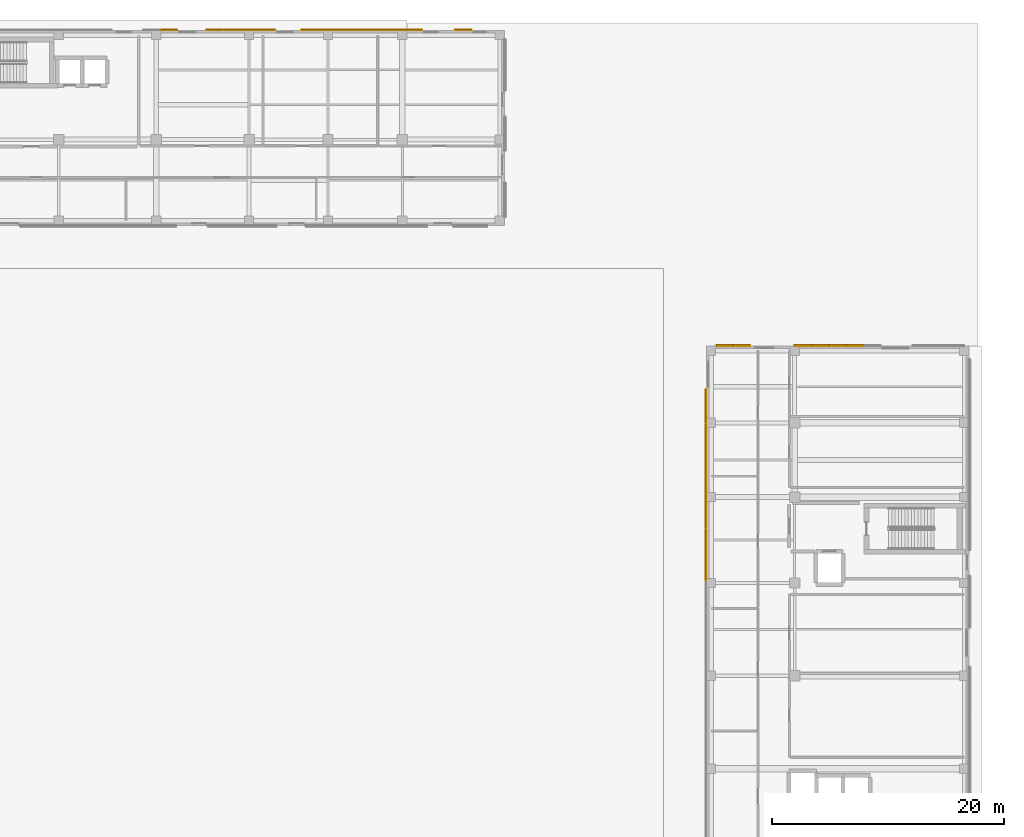
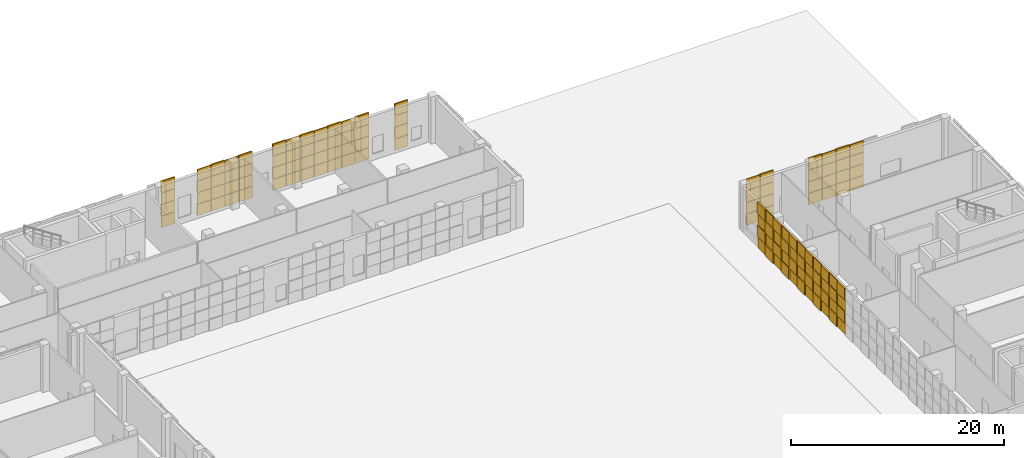
# One storey, part 36 of 40: 120 coverings.
"""IFC4 building model written with IfcOpenShell, lengths in metres."""

from ifc_helpers import new_model, si_unit, direction, frame, origin, origin_2d, place, context, subcontext, project, spatial, rectangle, extrude, material, layer, layer_set, type_object, element, save


model = new_model("IFC4")

# Units and contexts
model_context = context("Model", 3, precision=1e-05, world=origin(), true_north=direction((0.0, 1.0)))
body_context = subcontext(model_context, "Body", "Model", "MODEL_VIEW")
ifc_project = project(units=[si_unit("LENGTHUNIT", "METRE"), si_unit("AREAUNIT", "SQUARE_METRE"), si_unit("VOLUMEUNIT", "CUBIC_METRE"), si_unit("PLANEANGLEUNIT", "RADIAN"), si_unit("MASSUNIT", "GRAM", prefix="KILO")], contexts=[model_context])

# Site, building, storey
site_placement = place(None, origin())
site = spatial("IfcSite", under=ifc_project, at=site_placement, CompositionType="ELEMENT")
building_placement = place(site_placement, origin())
building = spatial("IfcBuilding", under=site, at=building_placement, Name="Qalavern Law Courts", CompositionType="ELEMENT")
storey_placement = place(building_placement, origin())
storey = spatial("IfcBuildingStorey", under=building, at=storey_placement, Name="L00", CompositionType="ELEMENT", Elevation=0.0)

# Coverings
ifc_material = material(Name="Precast concrete C40/50", Category="concrete")
ifc_layer_1 = layer(ifc_material, 0.06005859375)
ifc_layer_set_1 = layer_set([ifc_layer_1], Name="Precast concrete C40/50")
covering_type_1 = type_object("IfcCoveringType", Name="ENV-CLD-1", PredefinedType="CLADDING", material=ifc_layer_set_1)
covering_1_placement = place(storey_placement, frame((97.0, 85.8798828125, 0.050048828125), z_axis=(0.0, 0.0, 1.0), x_axis=(-1.0, 0.0, 0.0)))
element("IfcCovering", 1, at=covering_1_placement, inside=storey, type_object=covering_type_1, Name="Cast drop-relief street-base tile 0933", PredefinedType="CLADDING", context=body_context, shape_type="SweptSolid", body=[
    extrude(rectangle(XDim=1.449951171875, YDim=0.16796875, at=origin_2d()), origin(), (0.0, 0.0, 1.0), 1.294921875),
])
for number, where, z_axis, x_axis, name in (
    (2, (97.0, 85.837890625, 4.054931640625), (0.0, 0.0, 1.0), (-1.0, 0.0, 0.0), "Cast drop-relief street-base tile 0936"),
    (3, (95.5, 85.837890625, 2.719970703125), (0.0, 0.0, 1.0), (-1.0, 0.0, 0.0), "Cast drop-relief street-base tile 0939"),
    (4, (94.0, 85.837890625, 1.385009765625), (0.0, 0.0, 1.0), (-1.0, 0.0, 0.0), "Cast drop-relief street-base tile 0942"),
    (5, (92.5, 85.837890625, 0.050048828125), (0.0, 0.0, 1.0), (-1.0, 0.0, 0.0), "Cast drop-relief street-base tile 0945"),
):
    element("IfcCovering", number, at=place(storey_placement, frame(where, z_axis=z_axis, x_axis=x_axis)), inside=storey, type_object=covering_type_1, Name=name, PredefinedType="CLADDING", context=body_context, shape_type="SweptSolid", body=[
        extrude(rectangle(XDim=1.449951171875, YDim=0.083984375, at=origin_2d()), origin(), (0.0, 0.0, 1.0), 1.294921875),
    ])
for number, where, z_axis, x_axis, name in (
    (6, (92.5, 85.8798828125, 4.054931640625), (0.0, 0.0, 1.0), (-1.0, 0.0, 0.0), "Cast drop-relief street-base tile 0948"),
    (7, (87.25, 85.8798828125, 1.385009765625), (0.0, 0.0, 1.0), (-1.0, 0.0, 0.0), "Cast drop-relief street-base tile 0950"),
    (8, (85.75, 85.8798828125, 0.050048828125), (0.0, 0.0, 1.0), (-1.0, 0.0, 0.0), "Cast drop-relief street-base tile 0953"),
):
    element("IfcCovering", number, at=place(storey_placement, frame(where, z_axis=z_axis, x_axis=x_axis)), inside=storey, type_object=covering_type_1, Name=name, PredefinedType="CLADDING", context=body_context, shape_type="SweptSolid", body=[
        extrude(rectangle(XDim=1.449951171875, YDim=0.16796875, at=origin_2d()), origin(), (0.0, 0.0, 1.0), 1.294921875),
    ])
covering_2_placement = place(storey_placement, frame((85.75, 85.837890625, 4.054931640625), z_axis=(0.0, 0.0, 1.0), x_axis=(-1.0, 0.0, 0.0)))
element("IfcCovering", 9, at=covering_2_placement, inside=storey, type_object=covering_type_1, Name="Cast drop-relief street-base tile 0956", PredefinedType="CLADDING", context=body_context, shape_type="SweptSolid", body=[
    extrude(rectangle(XDim=1.449951171875, YDim=0.083984375, at=origin_2d()), origin(), (0.0, 0.0, 1.0), 1.294921875),
])
for number, where, z_axis, x_axis, name in (
    (10, (84.1201171875, 81.364990234375, 1.385009765625), (0.0, 0.0, 1.0), (0.0, -1.0, 0.0), "Cast drop-relief street-base tile 0958"),
    (11, (84.1201171875, 79.864990234375, 0.050048828125), (0.0, 0.0, 1.0), (0.0, -1.0, 0.0), "Cast drop-relief street-base tile 0961"),
):
    element("IfcCovering", number, at=place(storey_placement, frame(where, z_axis=z_axis, x_axis=x_axis)), inside=storey, type_object=covering_type_1, Name=name, PredefinedType="CLADDING", context=body_context, shape_type="SweptSolid", body=[
        extrude(rectangle(XDim=1.449951171875, YDim=0.16796875, at=origin_2d()), origin(), (0.0, 0.0, 1.0), 1.294921875),
    ])
for number, where, z_axis, x_axis, name in (
    (12, (84.162109375, 79.864990234375, 4.054931640625), (0.0, 0.0, 1.0), (0.0, -1.0, 0.0), "Cast drop-relief street-base tile 0964"),
    (13, (84.162109375, 78.364990234375, 2.719970703125), (0.0, 0.0, 1.0), (0.0, -1.0, 0.0), "Cast drop-relief street-base tile 0967"),
    (14, (84.162109375, 76.864990234375, 1.385009765625), (0.0, 0.0, 1.0), (0.0, -1.0, 0.0), "Cast drop-relief street-base tile 0970"),
    (15, (84.162109375, 75.364990234375, 0.050048828125), (0.0, 0.0, 1.0), (0.0, -1.0, 0.0), "Cast drop-relief street-base tile 0973"),
):
    element("IfcCovering", number, at=place(storey_placement, frame(where, z_axis=z_axis, x_axis=x_axis)), inside=storey, type_object=covering_type_1, Name=name, PredefinedType="CLADDING", context=body_context, shape_type="SweptSolid", body=[
        extrude(rectangle(XDim=1.449951171875, YDim=0.083984375, at=origin_2d()), origin(), (0.0, 0.0, 1.0), 1.294921875),
    ])
for number, where, z_axis, x_axis, name in (
    (16, (84.1201171875, 75.364990234375, 4.054931640625), (0.0, 0.0, 1.0), (0.0, -1.0, 0.0), "Cast drop-relief street-base tile 0976"),
    (17, (84.1201171875, 73.864990234375, 2.719970703125), (0.0, 0.0, 1.0), (0.0, -1.0, 0.0), "Cast drop-relief street-base tile 0979"),
    (18, (84.1201171875, 72.364990234375, 1.385009765625), (0.0, 0.0, 1.0), (0.0, -1.0, 0.0), "Cast drop-relief street-base tile 0982"),
    (19, (84.1201171875, 70.864990234375, 0.050048828125), (0.0, 0.0, 1.0), (0.0, -1.0, 0.0), "Cast drop-relief street-base tile 0985"),
):
    element("IfcCovering", number, at=place(storey_placement, frame(where, z_axis=z_axis, x_axis=x_axis)), inside=storey, type_object=covering_type_1, Name=name, PredefinedType="CLADDING", context=body_context, shape_type="SweptSolid", body=[
        extrude(rectangle(XDim=1.449951171875, YDim=0.16796875, at=origin_2d()), origin(), (0.0, 0.0, 1.0), 1.294921875),
    ])
for number, where, z_axis, x_axis, name in (
    (20, (84.162109375, 70.864990234375, 4.054931640625), (0.0, 0.0, 1.0), (0.0, -1.0, 0.0), "Cast drop-relief street-base tile 0988"),
    (21, (84.162109375, 69.364990234375, 2.719970703125), (0.0, 0.0, 1.0), (0.0, -1.0, 0.0), "Cast drop-relief street-base tile 0991"),
    (22, (84.162109375, 67.864990234375, 1.385009765625), (0.0, 0.0, 1.0), (0.0, -1.0, 0.0), "Cast drop-relief street-base tile 0994"),
    (23, (84.162109375, 66.364990234375, 0.050048828125), (0.0, 0.0, 1.0), (0.0, -1.0, 0.0), "Cast drop-relief street-base tile 0997"),
):
    element("IfcCovering", number, at=place(storey_placement, frame(where, z_axis=z_axis, x_axis=x_axis)), inside=storey, type_object=covering_type_1, Name=name, PredefinedType="CLADDING", context=body_context, shape_type="SweptSolid", body=[
        extrude(rectangle(XDim=1.449951171875, YDim=0.083984375, at=origin_2d()), origin(), (0.0, 0.0, 1.0), 1.294921875),
    ])
for number, where, z_axis, x_axis, name in (
    (24, (84.1201171875, 66.364990234375, 4.054931640625), (0.0, 0.0, 1.0), (0.0, -1.0, 0.0), "Cast drop-relief street-base tile 1000"),
    (25, (63.25, 113.080078125, 1.385009765625), (0.0, 0.0, 1.0), (-1.0, 0.0, 0.0), "Cast drop-relief street-base tile 1222"),
    (26, (59.0, 113.080078125, 1.385009765625), (0.0, 0.0, 1.0), (-1.0, 0.0, 0.0), "Cast drop-relief street-base tile 1226"),
    (27, (57.5, 113.080078125, 0.050048828125), (0.0, 0.0, 1.0), (-1.0, 0.0, 0.0), "Cast drop-relief street-base tile 1229"),
):
    element("IfcCovering", number, at=place(storey_placement, frame(where, z_axis=z_axis, x_axis=x_axis)), inside=storey, type_object=covering_type_1, Name=name, PredefinedType="CLADDING", context=body_context, shape_type="SweptSolid", body=[
        extrude(rectangle(XDim=1.449951171875, YDim=0.16796875, at=origin_2d()), origin(), (0.0, 0.0, 1.0), 1.294921875),
    ])
for number, where, z_axis, x_axis, name in (
    (28, (57.5, 113.0380859375, 4.054931640625), (0.0, 0.0, 1.0), (-1.0, 0.0, 0.0), "Cast drop-relief street-base tile 1232"),
    (29, (56.0, 113.0380859375, 2.719970703125), (0.0, 0.0, 1.0), (-1.0, 0.0, 0.0), "Cast drop-relief street-base tile 1235"),
    (30, (54.5, 113.0380859375, 1.385009765625), (0.0, 0.0, 1.0), (-1.0, 0.0, 0.0), "Cast drop-relief street-base tile 1238"),
    (31, (53.0, 113.0380859375, 0.050048828125), (0.0, 0.0, 1.0), (-1.0, 0.0, 0.0), "Cast drop-relief street-base tile 1241"),
):
    element("IfcCovering", number, at=place(storey_placement, frame(where, z_axis=z_axis, x_axis=x_axis)), inside=storey, type_object=covering_type_1, Name=name, PredefinedType="CLADDING", context=body_context, shape_type="SweptSolid", body=[
        extrude(rectangle(XDim=1.449951171875, YDim=0.083984375, at=origin_2d()), origin(), (0.0, 0.0, 1.0), 1.294921875),
    ])
for number, where, z_axis, x_axis, name in (
    (32, (53.0, 113.080078125, 4.054931640625), (0.0, 0.0, 1.0), (-1.0, 0.0, 0.0), "Cast drop-relief street-base tile 1244"),
    (33, (51.5, 113.080078125, 2.719970703125), (0.0, 0.0, 1.0), (-1.0, 0.0, 0.0), "Cast drop-relief street-base tile 1247"),
    (34, (50.0, 113.080078125, 1.385009765625), (0.0, 0.0, 1.0), (-1.0, 0.0, 0.0), "Cast drop-relief street-base tile 1250"),
    (35, (46.324951171875, 113.080078125, 1.385009765625), (0.0, 0.0, 1.0), (-1.0, 0.0, 0.0), "Cast drop-relief street-base tile 1254"),
    (36, (44.824951171875, 113.080078125, 0.050048828125), (0.0, 0.0, 1.0), (-1.0, 0.0, 0.0), "Cast drop-relief street-base tile 1257"),
):
    element("IfcCovering", number, at=place(storey_placement, frame(where, z_axis=z_axis, x_axis=x_axis)), inside=storey, type_object=covering_type_1, Name=name, PredefinedType="CLADDING", context=body_context, shape_type="SweptSolid", body=[
        extrude(rectangle(XDim=1.449951171875, YDim=0.16796875, at=origin_2d()), origin(), (0.0, 0.0, 1.0), 1.294921875),
    ])
for number, where, z_axis, x_axis, name in (
    (37, (44.824951171875, 113.0380859375, 4.054931640625), (0.0, 0.0, 1.0), (-1.0, 0.0, 0.0), "Cast drop-relief street-base tile 1260"),
    (38, (43.324951171875, 113.0380859375, 2.719970703125), (0.0, 0.0, 1.0), (-1.0, 0.0, 0.0), "Cast drop-relief street-base tile 1263"),
    (39, (41.824951171875, 113.0380859375, 1.385009765625), (0.0, 0.0, 1.0), (-1.0, 0.0, 0.0), "Cast drop-relief street-base tile 1266"),
):
    element("IfcCovering", number, at=place(storey_placement, frame(where, z_axis=z_axis, x_axis=x_axis)), inside=storey, type_object=covering_type_1, Name=name, PredefinedType="CLADDING", context=body_context, shape_type="SweptSolid", body=[
        extrude(rectangle(XDim=1.449951171875, YDim=0.083984375, at=origin_2d()), origin(), (0.0, 0.0, 1.0), 1.294921875),
    ])
covering_3_placement = place(storey_placement, frame((37.89990234375, 113.080078125, 1.385009765625), z_axis=(0.0, 0.0, 1.0), x_axis=(-1.0, 0.0, 0.0)))
element("IfcCovering", 40, at=covering_3_placement, inside=storey, type_object=covering_type_1, Name="Cast drop-relief street-base tile 1270", PredefinedType="CLADDING", context=body_context, shape_type="SweptSolid", body=[
    extrude(rectangle(XDim=1.449951171875, YDim=0.16796875, at=origin_2d()), origin(), (0.0, 0.0, 1.0), 1.294921875),
])
ifc_layer_2 = layer(ifc_material, 0.072021484375)
ifc_layer_set_2 = layer_set([ifc_layer_2], Name="Precast concrete C40/50")
covering_type_2 = type_object("IfcCoveringType", Name="ENV-CLD-2", PredefinedType="CLADDING", material=ifc_layer_set_2)
for number, where, z_axis, x_axis, name in (
    (41, (97.0, 85.837890625, 1.385009765625), (0.0, 0.0, 1.0), (-1.0, 0.0, 0.0), "Cast drop-relief street-base tile 0934"),
    (42, (95.5, 85.837890625, 0.050048828125), (0.0, 0.0, 1.0), (-1.0, 0.0, 0.0), "Cast drop-relief street-base tile 0937"),
):
    element("IfcCovering", number, at=place(storey_placement, frame(where, z_axis=z_axis, x_axis=x_axis)), inside=storey, type_object=covering_type_2, Name=name, PredefinedType="CLADDING", context=body_context, shape_type="SweptSolid", body=[
        extrude(rectangle(XDim=1.449951171875, YDim=0.083984375, at=origin_2d()), origin(), (0.0, 0.0, 1.0), 1.294921875),
    ])
for number, where, z_axis, x_axis, name in (
    (43, (95.5, 85.8798828125, 4.054931640625), (0.0, 0.0, 1.0), (-1.0, 0.0, 0.0), "Cast drop-relief street-base tile 0940"),
    (44, (94.0, 85.8798828125, 2.719970703125), (0.0, 0.0, 1.0), (-1.0, 0.0, 0.0), "Cast drop-relief street-base tile 0943"),
    (45, (92.5, 85.8798828125, 1.385009765625), (0.0, 0.0, 1.0), (-1.0, 0.0, 0.0), "Cast drop-relief street-base tile 0946"),
):
    element("IfcCovering", number, at=place(storey_placement, frame(where, z_axis=z_axis, x_axis=x_axis)), inside=storey, type_object=covering_type_2, Name=name, PredefinedType="CLADDING", context=body_context, shape_type="SweptSolid", body=[
        extrude(rectangle(XDim=1.449951171875, YDim=0.16796875, at=origin_2d()), origin(), (0.0, 0.0, 1.0), 1.294921875),
    ])
for number, where, z_axis, x_axis, name in (
    (46, (87.25, 85.837890625, 2.719970703125), (0.0, 0.0, 1.0), (-1.0, 0.0, 0.0), "Cast drop-relief street-base tile 0951"),
    (47, (85.75, 85.837890625, 1.385009765625), (0.0, 0.0, 1.0), (-1.0, 0.0, 0.0), "Cast drop-relief street-base tile 0954"),
    (48, (84.162109375, 81.364990234375, 2.719970703125), (0.0, 0.0, 1.0), (0.0, -1.0, 0.0), "Cast drop-relief street-base tile 0959"),
    (49, (84.162109375, 79.864990234375, 1.385009765625), (0.0, 0.0, 1.0), (0.0, -1.0, 0.0), "Cast drop-relief street-base tile 0962"),
    (50, (84.162109375, 78.364990234375, 0.050048828125), (0.0, 0.0, 1.0), (0.0, -1.0, 0.0), "Cast drop-relief street-base tile 0965"),
):
    element("IfcCovering", number, at=place(storey_placement, frame(where, z_axis=z_axis, x_axis=x_axis)), inside=storey, type_object=covering_type_2, Name=name, PredefinedType="CLADDING", context=body_context, shape_type="SweptSolid", body=[
        extrude(rectangle(XDim=1.449951171875, YDim=0.083984375, at=origin_2d()), origin(), (0.0, 0.0, 1.0), 1.294921875),
    ])
for number, where, z_axis, x_axis, name in (
    (51, (84.1201171875, 78.364990234375, 4.054931640625), (0.0, 0.0, 1.0), (0.0, -1.0, 0.0), "Cast drop-relief street-base tile 0968"),
    (52, (84.1201171875, 76.864990234375, 2.719970703125), (0.0, 0.0, 1.0), (0.0, -1.0, 0.0), "Cast drop-relief street-base tile 0971"),
    (53, (84.1201171875, 75.364990234375, 1.385009765625), (0.0, 0.0, 1.0), (0.0, -1.0, 0.0), "Cast drop-relief street-base tile 0974"),
    (54, (84.1201171875, 73.864990234375, 0.050048828125), (0.0, 0.0, 1.0), (0.0, -1.0, 0.0), "Cast drop-relief street-base tile 0977"),
):
    element("IfcCovering", number, at=place(storey_placement, frame(where, z_axis=z_axis, x_axis=x_axis)), inside=storey, type_object=covering_type_2, Name=name, PredefinedType="CLADDING", context=body_context, shape_type="SweptSolid", body=[
        extrude(rectangle(XDim=1.449951171875, YDim=0.16796875, at=origin_2d()), origin(), (0.0, 0.0, 1.0), 1.294921875),
    ])
for number, where, z_axis, x_axis, name in (
    (55, (84.162109375, 73.864990234375, 4.054931640625), (0.0, 0.0, 1.0), (0.0, -1.0, 0.0), "Cast drop-relief street-base tile 0980"),
    (56, (84.162109375, 72.364990234375, 2.719970703125), (0.0, 0.0, 1.0), (0.0, -1.0, 0.0), "Cast drop-relief street-base tile 0983"),
    (57, (84.162109375, 70.864990234375, 1.385009765625), (0.0, 0.0, 1.0), (0.0, -1.0, 0.0), "Cast drop-relief street-base tile 0986"),
    (58, (84.162109375, 69.364990234375, 0.050048828125), (0.0, 0.0, 1.0), (0.0, -1.0, 0.0), "Cast drop-relief street-base tile 0989"),
):
    element("IfcCovering", number, at=place(storey_placement, frame(where, z_axis=z_axis, x_axis=x_axis)), inside=storey, type_object=covering_type_2, Name=name, PredefinedType="CLADDING", context=body_context, shape_type="SweptSolid", body=[
        extrude(rectangle(XDim=1.449951171875, YDim=0.083984375, at=origin_2d()), origin(), (0.0, 0.0, 1.0), 1.294921875),
    ])
for number, where, z_axis, x_axis, name in (
    (59, (84.1201171875, 69.364990234375, 4.054931640625), (0.0, 0.0, 1.0), (0.0, -1.0, 0.0), "Cast drop-relief street-base tile 0992"),
    (60, (84.1201171875, 67.864990234375, 2.719970703125), (0.0, 0.0, 1.0), (0.0, -1.0, 0.0), "Cast drop-relief street-base tile 0995"),
    (61, (84.1201171875, 66.364990234375, 1.385009765625), (0.0, 0.0, 1.0), (0.0, -1.0, 0.0), "Cast drop-relief street-base tile 0998"),
):
    element("IfcCovering", number, at=place(storey_placement, frame(where, z_axis=z_axis, x_axis=x_axis)), inside=storey, type_object=covering_type_2, Name=name, PredefinedType="CLADDING", context=body_context, shape_type="SweptSolid", body=[
        extrude(rectangle(XDim=1.449951171875, YDim=0.16796875, at=origin_2d()), origin(), (0.0, 0.0, 1.0), 1.294921875),
    ])
for number, where, z_axis, x_axis, name in (
    (62, (63.25, 113.0380859375, 2.719970703125), (0.0, 0.0, 1.0), (-1.0, 0.0, 0.0), "Cast drop-relief street-base tile 1223"),
    (63, (59.0, 113.0380859375, 2.719970703125), (0.0, 0.0, 1.0), (-1.0, 0.0, 0.0), "Cast drop-relief street-base tile 1227"),
    (64, (57.5, 113.0380859375, 1.385009765625), (0.0, 0.0, 1.0), (-1.0, 0.0, 0.0), "Cast drop-relief street-base tile 1230"),
    (65, (56.0, 113.0380859375, 0.050048828125), (0.0, 0.0, 1.0), (-1.0, 0.0, 0.0), "Cast drop-relief street-base tile 1233"),
):
    element("IfcCovering", number, at=place(storey_placement, frame(where, z_axis=z_axis, x_axis=x_axis)), inside=storey, type_object=covering_type_2, Name=name, PredefinedType="CLADDING", context=body_context, shape_type="SweptSolid", body=[
        extrude(rectangle(XDim=1.449951171875, YDim=0.083984375, at=origin_2d()), origin(), (0.0, 0.0, 1.0), 1.294921875),
    ])
for number, where, z_axis, x_axis, name in (
    (66, (56.0, 113.080078125, 4.054931640625), (0.0, 0.0, 1.0), (-1.0, 0.0, 0.0), "Cast drop-relief street-base tile 1236"),
    (67, (54.5, 113.080078125, 2.719970703125), (0.0, 0.0, 1.0), (-1.0, 0.0, 0.0), "Cast drop-relief street-base tile 1239"),
    (68, (53.0, 113.080078125, 1.385009765625), (0.0, 0.0, 1.0), (-1.0, 0.0, 0.0), "Cast drop-relief street-base tile 1242"),
    (69, (51.5, 113.080078125, 0.050048828125), (0.0, 0.0, 1.0), (-1.0, 0.0, 0.0), "Cast drop-relief street-base tile 1245"),
):
    element("IfcCovering", number, at=place(storey_placement, frame(where, z_axis=z_axis, x_axis=x_axis)), inside=storey, type_object=covering_type_2, Name=name, PredefinedType="CLADDING", context=body_context, shape_type="SweptSolid", body=[
        extrude(rectangle(XDim=1.449951171875, YDim=0.16796875, at=origin_2d()), origin(), (0.0, 0.0, 1.0), 1.294921875),
    ])
for number, where, z_axis, x_axis, name in (
    (70, (51.5, 113.0380859375, 4.054931640625), (0.0, 0.0, 1.0), (-1.0, 0.0, 0.0), "Cast drop-relief street-base tile 1248"),
    (71, (50.0, 113.0380859375, 2.719970703125), (0.0, 0.0, 1.0), (-1.0, 0.0, 0.0), "Cast drop-relief street-base tile 1251"),
    (72, (46.324951171875, 113.0380859375, 2.719970703125), (0.0, 0.0, 1.0), (-1.0, 0.0, 0.0), "Cast drop-relief street-base tile 1255"),
    (73, (44.824951171875, 113.0380859375, 1.385009765625), (0.0, 0.0, 1.0), (-1.0, 0.0, 0.0), "Cast drop-relief street-base tile 1258"),
    (74, (43.324951171875, 113.0380859375, 0.050048828125), (0.0, 0.0, 1.0), (-1.0, 0.0, 0.0), "Cast drop-relief street-base tile 1261"),
):
    element("IfcCovering", number, at=place(storey_placement, frame(where, z_axis=z_axis, x_axis=x_axis)), inside=storey, type_object=covering_type_2, Name=name, PredefinedType="CLADDING", context=body_context, shape_type="SweptSolid", body=[
        extrude(rectangle(XDim=1.449951171875, YDim=0.083984375, at=origin_2d()), origin(), (0.0, 0.0, 1.0), 1.294921875),
    ])
for number, where, z_axis, x_axis, name in (
    (75, (43.324951171875, 113.080078125, 4.054931640625), (0.0, 0.0, 1.0), (-1.0, 0.0, 0.0), "Cast drop-relief street-base tile 1264"),
    (76, (41.824951171875, 113.080078125, 2.719970703125), (0.0, 0.0, 1.0), (-1.0, 0.0, 0.0), "Cast drop-relief street-base tile 1267"),
):
    element("IfcCovering", number, at=place(storey_placement, frame(where, z_axis=z_axis, x_axis=x_axis)), inside=storey, type_object=covering_type_2, Name=name, PredefinedType="CLADDING", context=body_context, shape_type="SweptSolid", body=[
        extrude(rectangle(XDim=1.449951171875, YDim=0.16796875, at=origin_2d()), origin(), (0.0, 0.0, 1.0), 1.294921875),
    ])
covering_4_placement = place(storey_placement, frame((37.89990234375, 113.0380859375, 2.719970703125), z_axis=(0.0, 0.0, 1.0), x_axis=(-1.0, 0.0, 0.0)))
element("IfcCovering", 77, at=covering_4_placement, inside=storey, type_object=covering_type_2, Name="Cast drop-relief street-base tile 1271", PredefinedType="CLADDING", context=body_context, shape_type="SweptSolid", body=[
    extrude(rectangle(XDim=1.449951171875, YDim=0.083984375, at=origin_2d()), origin(), (0.0, 0.0, 1.0), 1.294921875),
])
ifc_layer_3 = layer(ifc_material, 0.083984375)
ifc_layer_set_3 = layer_set([ifc_layer_3], Name="Precast concrete C40/50")
covering_type_3 = type_object("IfcCoveringType", Name="ENV-CLD-3", PredefinedType="CLADDING", material=ifc_layer_set_3)
for number, where, z_axis, x_axis, name in (
    (78, (97.0, 85.8798828125, 2.719970703125), (0.0, 0.0, 1.0), (-1.0, 0.0, 0.0), "Cast drop-relief street-base tile 0935"),
    (79, (95.5, 85.8798828125, 1.385009765625), (0.0, 0.0, 1.0), (-1.0, 0.0, 0.0), "Cast drop-relief street-base tile 0938"),
    (80, (94.0, 85.8798828125, 0.050048828125), (0.0, 0.0, 1.0), (-1.0, 0.0, 0.0), "Cast drop-relief street-base tile 0941"),
):
    element("IfcCovering", number, at=place(storey_placement, frame(where, z_axis=z_axis, x_axis=x_axis)), inside=storey, type_object=covering_type_3, Name=name, PredefinedType="CLADDING", context=body_context, shape_type="SweptSolid", body=[
        extrude(rectangle(XDim=1.449951171875, YDim=0.16796875, at=origin_2d()), origin(), (0.0, 0.0, 1.0), 1.294921875),
    ])
for number, where, z_axis, x_axis, name in (
    (81, (94.0, 85.837890625, 4.054931640625), (0.0, 0.0, 1.0), (-1.0, 0.0, 0.0), "Cast drop-relief street-base tile 0944"),
    (82, (92.5, 85.837890625, 2.719970703125), (0.0, 0.0, 1.0), (-1.0, 0.0, 0.0), "Cast drop-relief street-base tile 0947"),
    (83, (87.25, 85.837890625, 0.050048828125), (0.0, 0.0, 1.0), (-1.0, 0.0, 0.0), "Cast drop-relief street-base tile 0949"),
):
    element("IfcCovering", number, at=place(storey_placement, frame(where, z_axis=z_axis, x_axis=x_axis)), inside=storey, type_object=covering_type_3, Name=name, PredefinedType="CLADDING", context=body_context, shape_type="SweptSolid", body=[
        extrude(rectangle(XDim=1.449951171875, YDim=0.083984375, at=origin_2d()), origin(), (0.0, 0.0, 1.0), 1.294921875),
    ])
for number, where, z_axis, x_axis, name in (
    (84, (87.25, 85.8798828125, 4.054931640625), (0.0, 0.0, 1.0), (-1.0, 0.0, 0.0), "Cast drop-relief street-base tile 0952"),
    (85, (85.75, 85.8798828125, 2.719970703125), (0.0, 0.0, 1.0), (-1.0, 0.0, 0.0), "Cast drop-relief street-base tile 0955"),
):
    element("IfcCovering", number, at=place(storey_placement, frame(where, z_axis=z_axis, x_axis=x_axis)), inside=storey, type_object=covering_type_3, Name=name, PredefinedType="CLADDING", context=body_context, shape_type="SweptSolid", body=[
        extrude(rectangle(XDim=1.449951171875, YDim=0.16796875, at=origin_2d()), origin(), (0.0, 0.0, 1.0), 1.294921875),
    ])
covering_5_placement = place(storey_placement, frame((84.162109375, 81.364990234375, 0.050048828125), z_axis=(0.0, 0.0, 1.0), x_axis=(0.0, -1.0, 0.0)))
element("IfcCovering", 86, at=covering_5_placement, inside=storey, type_object=covering_type_3, Name="Cast drop-relief street-base tile 0957", PredefinedType="CLADDING", context=body_context, shape_type="SweptSolid", body=[
    extrude(rectangle(XDim=1.449951171875, YDim=0.083984375, at=origin_2d()), origin(), (0.0, 0.0, 1.0), 1.294921875),
])
for number, where, z_axis, x_axis, name in (
    (87, (84.1201171875, 81.364990234375, 4.054931640625), (0.0, 0.0, 1.0), (0.0, -1.0, 0.0), "Cast drop-relief street-base tile 0960"),
    (88, (84.1201171875, 79.864990234375, 2.719970703125), (0.0, 0.0, 1.0), (0.0, -1.0, 0.0), "Cast drop-relief street-base tile 0963"),
    (89, (84.1201171875, 78.364990234375, 1.385009765625), (0.0, 0.0, 1.0), (0.0, -1.0, 0.0), "Cast drop-relief street-base tile 0966"),
    (90, (84.1201171875, 76.864990234375, 0.050048828125), (0.0, 0.0, 1.0), (0.0, -1.0, 0.0), "Cast drop-relief street-base tile 0969"),
):
    element("IfcCovering", number, at=place(storey_placement, frame(where, z_axis=z_axis, x_axis=x_axis)), inside=storey, type_object=covering_type_3, Name=name, PredefinedType="CLADDING", context=body_context, shape_type="SweptSolid", body=[
        extrude(rectangle(XDim=1.449951171875, YDim=0.16796875, at=origin_2d()), origin(), (0.0, 0.0, 1.0), 1.294921875),
    ])
for number, where, z_axis, x_axis, name in (
    (91, (84.162109375, 76.864990234375, 4.054931640625), (0.0, 0.0, 1.0), (0.0, -1.0, 0.0), "Cast drop-relief street-base tile 0972"),
    (92, (84.162109375, 75.364990234375, 2.719970703125), (0.0, 0.0, 1.0), (0.0, -1.0, 0.0), "Cast drop-relief street-base tile 0975"),
    (93, (84.162109375, 73.864990234375, 1.385009765625), (0.0, 0.0, 1.0), (0.0, -1.0, 0.0), "Cast drop-relief street-base tile 0978"),
    (94, (84.162109375, 72.364990234375, 0.050048828125), (0.0, 0.0, 1.0), (0.0, -1.0, 0.0), "Cast drop-relief street-base tile 0981"),
):
    element("IfcCovering", number, at=place(storey_placement, frame(where, z_axis=z_axis, x_axis=x_axis)), inside=storey, type_object=covering_type_3, Name=name, PredefinedType="CLADDING", context=body_context, shape_type="SweptSolid", body=[
        extrude(rectangle(XDim=1.449951171875, YDim=0.083984375, at=origin_2d()), origin(), (0.0, 0.0, 1.0), 1.294921875),
    ])
for number, where, z_axis, x_axis, name in (
    (95, (84.1201171875, 72.364990234375, 4.054931640625), (0.0, 0.0, 1.0), (0.0, -1.0, 0.0), "Cast drop-relief street-base tile 0984"),
    (96, (84.1201171875, 70.864990234375, 2.719970703125), (0.0, 0.0, 1.0), (0.0, -1.0, 0.0), "Cast drop-relief street-base tile 0987"),
    (97, (84.1201171875, 69.364990234375, 1.385009765625), (0.0, 0.0, 1.0), (0.0, -1.0, 0.0), "Cast drop-relief street-base tile 0990"),
    (98, (84.1201171875, 67.864990234375, 0.050048828125), (0.0, 0.0, 1.0), (0.0, -1.0, 0.0), "Cast drop-relief street-base tile 0993"),
):
    element("IfcCovering", number, at=place(storey_placement, frame(where, z_axis=z_axis, x_axis=x_axis)), inside=storey, type_object=covering_type_3, Name=name, PredefinedType="CLADDING", context=body_context, shape_type="SweptSolid", body=[
        extrude(rectangle(XDim=1.449951171875, YDim=0.16796875, at=origin_2d()), origin(), (0.0, 0.0, 1.0), 1.294921875),
    ])
for number, where, z_axis, x_axis, name in (
    (99, (84.162109375, 67.864990234375, 4.054931640625), (0.0, 0.0, 1.0), (0.0, -1.0, 0.0), "Cast drop-relief street-base tile 0996"),
    (100, (84.162109375, 66.364990234375, 2.719970703125), (0.0, 0.0, 1.0), (0.0, -1.0, 0.0), "Cast drop-relief street-base tile 0999"),
    (101, (63.25, 113.0380859375, 0.050048828125), (0.0, 0.0, 1.0), (-1.0, 0.0, 0.0), "Cast drop-relief street-base tile 1221"),
):
    element("IfcCovering", number, at=place(storey_placement, frame(where, z_axis=z_axis, x_axis=x_axis)), inside=storey, type_object=covering_type_3, Name=name, PredefinedType="CLADDING", context=body_context, shape_type="SweptSolid", body=[
        extrude(rectangle(XDim=1.449951171875, YDim=0.083984375, at=origin_2d()), origin(), (0.0, 0.0, 1.0), 1.294921875),
    ])
covering_6_placement = place(storey_placement, frame((63.25, 113.080078125, 4.054931640625), z_axis=(0.0, 0.0, 1.0), x_axis=(-1.0, 0.0, 0.0)))
element("IfcCovering", 102, at=covering_6_placement, inside=storey, type_object=covering_type_3, Name="Cast drop-relief street-base tile 1224", PredefinedType="CLADDING", context=body_context, shape_type="SweptSolid", body=[
    extrude(rectangle(XDim=1.449951171875, YDim=0.16796875, at=origin_2d()), origin(), (0.0, 0.0, 1.0), 1.294921875),
])
covering_7_placement = place(storey_placement, frame((59.0, 113.0380859375, 0.050048828125), z_axis=(0.0, 0.0, 1.0), x_axis=(-1.0, 0.0, 0.0)))
element("IfcCovering", 103, at=covering_7_placement, inside=storey, type_object=covering_type_3, Name="Cast drop-relief street-base tile 1225", PredefinedType="CLADDING", context=body_context, shape_type="SweptSolid", body=[
    extrude(rectangle(XDim=1.449951171875, YDim=0.083984375, at=origin_2d()), origin(), (0.0, 0.0, 1.0), 1.294921875),
])
for number, where, z_axis, x_axis, name in (
    (104, (59.0, 113.080078125, 4.054931640625), (0.0, 0.0, 1.0), (-1.0, 0.0, 0.0), "Cast drop-relief street-base tile 1228"),
    (105, (57.5, 113.080078125, 2.719970703125), (0.0, 0.0, 1.0), (-1.0, 0.0, 0.0), "Cast drop-relief street-base tile 1231"),
    (106, (56.0, 113.080078125, 1.385009765625), (0.0, 0.0, 1.0), (-1.0, 0.0, 0.0), "Cast drop-relief street-base tile 1234"),
    (107, (54.5, 113.080078125, 0.050048828125), (0.0, 0.0, 1.0), (-1.0, 0.0, 0.0), "Cast drop-relief street-base tile 1237"),
):
    element("IfcCovering", number, at=place(storey_placement, frame(where, z_axis=z_axis, x_axis=x_axis)), inside=storey, type_object=covering_type_3, Name=name, PredefinedType="CLADDING", context=body_context, shape_type="SweptSolid", body=[
        extrude(rectangle(XDim=1.449951171875, YDim=0.16796875, at=origin_2d()), origin(), (0.0, 0.0, 1.0), 1.294921875),
    ])
for number, where, z_axis, x_axis, name in (
    (108, (54.5, 113.0380859375, 4.054931640625), (0.0, 0.0, 1.0), (-1.0, 0.0, 0.0), "Cast drop-relief street-base tile 1240"),
    (109, (53.0, 113.0380859375, 2.719970703125), (0.0, 0.0, 1.0), (-1.0, 0.0, 0.0), "Cast drop-relief street-base tile 1243"),
    (110, (51.5, 113.0380859375, 1.385009765625), (0.0, 0.0, 1.0), (-1.0, 0.0, 0.0), "Cast drop-relief street-base tile 1246"),
    (111, (50.0, 113.0380859375, 0.050048828125), (0.0, 0.0, 1.0), (-1.0, 0.0, 0.0), "Cast drop-relief street-base tile 1249"),
):
    element("IfcCovering", number, at=place(storey_placement, frame(where, z_axis=z_axis, x_axis=x_axis)), inside=storey, type_object=covering_type_3, Name=name, PredefinedType="CLADDING", context=body_context, shape_type="SweptSolid", body=[
        extrude(rectangle(XDim=1.449951171875, YDim=0.083984375, at=origin_2d()), origin(), (0.0, 0.0, 1.0), 1.294921875),
    ])
covering_8_placement = place(storey_placement, frame((50.0, 113.080078125, 4.054931640625), z_axis=(0.0, 0.0, 1.0), x_axis=(-1.0, 0.0, 0.0)))
element("IfcCovering", 112, at=covering_8_placement, inside=storey, type_object=covering_type_3, Name="Cast drop-relief street-base tile 1252", PredefinedType="CLADDING", context=body_context, shape_type="SweptSolid", body=[
    extrude(rectangle(XDim=1.449951171875, YDim=0.16796875, at=origin_2d()), origin(), (0.0, 0.0, 1.0), 1.294921875),
])
covering_9_placement = place(storey_placement, frame((46.324951171875, 113.0380859375, 0.050048828125), z_axis=(0.0, 0.0, 1.0), x_axis=(-1.0, 0.0, 0.0)))
element("IfcCovering", 113, at=covering_9_placement, inside=storey, type_object=covering_type_3, Name="Cast drop-relief street-base tile 1253", PredefinedType="CLADDING", context=body_context, shape_type="SweptSolid", body=[
    extrude(rectangle(XDim=1.449951171875, YDim=0.083984375, at=origin_2d()), origin(), (0.0, 0.0, 1.0), 1.294921875),
])
for number, where, z_axis, x_axis, name in (
    (114, (46.324951171875, 113.080078125, 4.054931640625), (0.0, 0.0, 1.0), (-1.0, 0.0, 0.0), "Cast drop-relief street-base tile 1256"),
    (115, (44.824951171875, 113.080078125, 2.719970703125), (0.0, 0.0, 1.0), (-1.0, 0.0, 0.0), "Cast drop-relief street-base tile 1259"),
    (116, (43.324951171875, 113.080078125, 1.385009765625), (0.0, 0.0, 1.0), (-1.0, 0.0, 0.0), "Cast drop-relief street-base tile 1262"),
    (117, (41.824951171875, 113.080078125, 0.050048828125), (0.0, 0.0, 1.0), (-1.0, 0.0, 0.0), "Cast drop-relief street-base tile 1265"),
):
    element("IfcCovering", number, at=place(storey_placement, frame(where, z_axis=z_axis, x_axis=x_axis)), inside=storey, type_object=covering_type_3, Name=name, PredefinedType="CLADDING", context=body_context, shape_type="SweptSolid", body=[
        extrude(rectangle(XDim=1.449951171875, YDim=0.16796875, at=origin_2d()), origin(), (0.0, 0.0, 1.0), 1.294921875),
    ])
for number, where, z_axis, x_axis, name in (
    (118, (41.824951171875, 113.0380859375, 4.054931640625), (0.0, 0.0, 1.0), (-1.0, 0.0, 0.0), "Cast drop-relief street-base tile 1268"),
    (119, (37.89990234375, 113.0380859375, 0.050048828125), (0.0, 0.0, 1.0), (-1.0, 0.0, 0.0), "Cast drop-relief street-base tile 1269"),
):
    element("IfcCovering", number, at=place(storey_placement, frame(where, z_axis=z_axis, x_axis=x_axis)), inside=storey, type_object=covering_type_3, Name=name, PredefinedType="CLADDING", context=body_context, shape_type="SweptSolid", body=[
        extrude(rectangle(XDim=1.449951171875, YDim=0.083984375, at=origin_2d()), origin(), (0.0, 0.0, 1.0), 1.294921875),
    ])
covering_10_placement = place(storey_placement, frame((37.89990234375, 113.080078125, 4.054931640625), z_axis=(0.0, 0.0, 1.0), x_axis=(-1.0, 0.0, 0.0)))
element("IfcCovering", 120, at=covering_10_placement, inside=storey, type_object=covering_type_3, Name="Cast drop-relief street-base tile 1272", PredefinedType="CLADDING", context=body_context, shape_type="SweptSolid", body=[
    extrude(rectangle(XDim=1.449951171875, YDim=0.16796875, at=origin_2d()), origin(), (0.0, 0.0, 1.0), 1.294921875),
])

save(model, "model.ifc")
